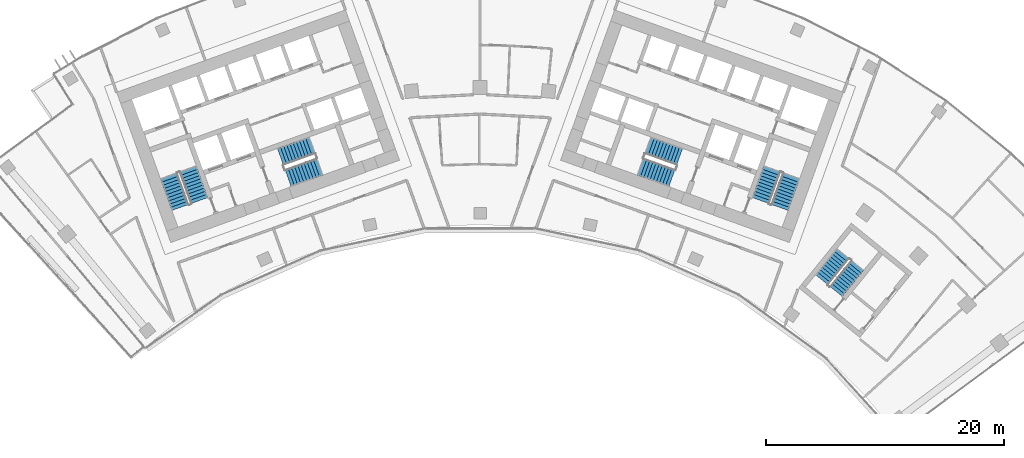
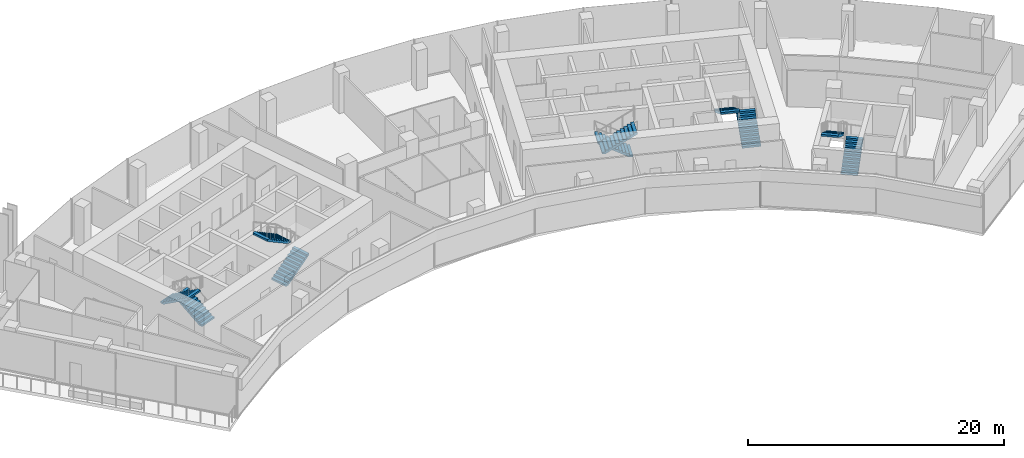
# One storey, part 16 of 18: 10 stair flights, 5 elements without a shape of their own.
"""IFC4 building model written with IfcOpenShell, lengths in metres."""

from ifc_helpers import new_model, si_unit, direction, frame, origin, place, context, subcontext, project, spatial, polyline, outline, extrude, material, type_object, element, aggregate, save


model = new_model("IFC4")

# Units and contexts
model_context = context("Model", 3, precision=1e-05, world=origin(), true_north=direction((0.0, 1.0)))
body_context = subcontext(model_context, "Body", "Model", "MODEL_VIEW")
ifc_project = project(units=[si_unit("LENGTHUNIT", "METRE"), si_unit("AREAUNIT", "SQUARE_METRE"), si_unit("VOLUMEUNIT", "CUBIC_METRE"), si_unit("PLANEANGLEUNIT", "RADIAN"), si_unit("MASSUNIT", "GRAM", prefix="KILO")], contexts=[model_context])

# Site, building, storey
site_placement = place(None, origin())
site = spatial("IfcSite", under=ifc_project, at=site_placement, CompositionType="ELEMENT")
building_placement = place(site_placement, origin())
building = spatial("IfcBuilding", under=site, at=building_placement, Name="Stone Belt Terrace Tower", CompositionType="ELEMENT")
storey_placement = place(building_placement, frame((0.0, 0.0, 239.0)))
storey = spatial("IfcBuildingStorey", under=building, at=storey_placement, Name="L58", CompositionType="ELEMENT", Elevation=239.0)

# Stair, stair flights
ifc_material = material(Name="Concrete B40", Category="concrete")
stair_type = type_object("IfcStairType", Name="Exit stair 1500", PredefinedType="HALF_TURN_STAIR", material=ifc_material)
stair_1_placement = place(storey_placement, origin())
stair_1 = element("IfcStair", 1, at=stair_1_placement, inside=storey, type_object=stair_type, Name="L58 Exit stair 1 core A", PredefinedType="HALF_TURN_STAIR")
stair_flight_type = type_object("IfcStairFlightType", Name="Stair flight 1500", PredefinedType="STRAIGHT", material=ifc_material)
stair_flight_1_placement = place(storey_placement, frame((-23.55322265625, 45.51318359375, 0.0), z_axis=(0.0, 0.0, 1.0), x_axis=(-0.338624396177, 0.940921632398, 0.0)))
stair_flight_1 = element("IfcStairFlight", 2, at=stair_flight_1_placement, type_object=stair_flight_type, Name="ST1A flight 1", NumberOfRisers=11, NumberOfTreads=10, PredefinedType="STRAIGHT", RiserHeight=0.172727273, TreadLength=0.28, context=body_context, shape_type="SweptSolid", body=[
    extrude(outline(polyline([(0.0, 0.0), (0.0, 0.172607421875), (0.280029296875, 0.172607421875), (0.280029296875, 0.345458984375), (0.56005859375, 0.345458984375), (0.56005859375, 0.51806640625), (0.840087890625, 0.51806640625), (0.840087890625, 0.69091796875), (1.1201171875, 0.69091796875), (1.1201171875, 0.863525390625), (1.39990234375, 0.863525390625), (1.39990234375, 1.036376953125), (1.679931640625, 1.036376953125), (1.679931640625, 1.208984375), (1.9599609375, 1.208984375), (1.9599609375, 1.3818359375), (2.239990234375, 1.3818359375), (2.239990234375, 1.554443359375), (2.52001953125, 1.554443359375), (2.52001953125, 1.727294921875), (2.800048828125, 1.727294921875), (2.800048828125, 1.89990234375), (2.800048828125, 1.551025390625), (0.285400390625, 0.0), (0.0, 0.0)])), frame((0.0, 0.75, 0.0), z_axis=(0.0, -1.0, 0.0), x_axis=(1.0, 0.0, 0.0)), (0.0, 0.0, 1.0), 1.5),
])
stair_flight_2_placement = place(storey_placement, frame((-26.10107421875, 47.572021484375, 1.89990234375), z_axis=(0.0, 0.0, 1.0), x_axis=(0.338624396177, -0.940921632398, 0.0)))
stair_flight_2 = element("IfcStairFlight", 3, at=stair_flight_2_placement, type_object=stair_flight_type, Name="ST1A flight 2", NumberOfRisers=11, NumberOfTreads=10, PredefinedType="STRAIGHT", RiserHeight=0.172727273, TreadLength=0.28, context=body_context, shape_type="SweptSolid", body=[
    extrude(outline(polyline([(0.0, 0.0), (0.0, 0.172607421875), (0.280029296875, 0.172607421875), (0.280029296875, 0.345458984375), (0.56005859375, 0.345458984375), (0.56005859375, 0.51806640625), (0.840087890625, 0.51806640625), (0.840087890625, 0.69091796875), (1.1201171875, 0.69091796875), (1.1201171875, 0.863525390625), (1.39990234375, 0.863525390625), (1.39990234375, 1.036376953125), (1.679931640625, 1.036376953125), (1.679931640625, 1.208984375), (1.9599609375, 1.208984375), (1.9599609375, 1.3818359375), (2.239990234375, 1.3818359375), (2.239990234375, 1.554443359375), (2.52001953125, 1.554443359375), (2.52001953125, 1.727294921875), (2.800048828125, 1.727294921875), (2.800048828125, 1.89990234375), (2.800048828125, 1.551025390625), (0.285400390625, 0.0), (0.0, 0.0)])), frame((0.0, 0.75, 0.0), z_axis=(0.0, -1.0, 0.0), x_axis=(1.0, 0.0, 0.0)), (0.0, 0.0, 1.0), 1.5),
])
aggregate(stair_1, [stair_flight_1, stair_flight_2])

stair_2_placement = place(storey_placement, origin())
stair_2 = element("IfcStair", 4, at=stair_2_placement, inside=storey, type_object=stair_type, Name="L58 Exit stair 2 core A", PredefinedType="HALF_TURN_STAIR")
stair_flight_3_placement = place(storey_placement, frame((-16.101318359375, 47.39794921875, 0.0), z_axis=(0.0, 0.0, 1.0), x_axis=(0.940921632398, 0.338624396177, 0.0)))
stair_flight_3 = element("IfcStairFlight", 5, at=stair_flight_3_placement, type_object=stair_flight_type, Name="ST2A flight 1", NumberOfRisers=11, NumberOfTreads=10, PredefinedType="STRAIGHT", RiserHeight=0.172727273, TreadLength=0.28, context=body_context, shape_type="SweptSolid", body=[
    extrude(outline(polyline([(0.0, 0.0), (0.0, 0.172607421875), (0.280029296875, 0.172607421875), (0.280029296875, 0.345458984375), (0.56005859375, 0.345458984375), (0.56005859375, 0.51806640625), (0.840087890625, 0.51806640625), (0.840087890625, 0.69091796875), (1.1201171875, 0.69091796875), (1.1201171875, 0.863525390625), (1.39990234375, 0.863525390625), (1.39990234375, 1.036376953125), (1.679931640625, 1.036376953125), (1.679931640625, 1.208984375), (1.9599609375, 1.208984375), (1.9599609375, 1.3818359375), (2.239990234375, 1.3818359375), (2.239990234375, 1.554443359375), (2.52001953125, 1.554443359375), (2.52001953125, 1.727294921875), (2.800048828125, 1.727294921875), (2.800048828125, 1.89990234375), (2.800048828125, 1.551025390625), (0.285400390625, 0.0), (0.0, 0.0)])), frame((0.0, 0.75, 0.0), z_axis=(0.0, -1.0, 0.0), x_axis=(1.0, 0.0, 0.0)), (0.0, 0.0, 1.0), 1.5),
])
stair_flight_4_placement = place(storey_placement, frame((-14.110107421875, 50.1337890625, 1.89990234375), z_axis=(0.0, 0.0, 1.0), x_axis=(-0.940921632398, -0.338624396177, 0.0)))
stair_flight_4 = element("IfcStairFlight", 6, at=stair_flight_4_placement, type_object=stair_flight_type, Name="ST2A flight 2", NumberOfRisers=11, NumberOfTreads=10, PredefinedType="STRAIGHT", RiserHeight=0.172727273, TreadLength=0.28, context=body_context, shape_type="SweptSolid", body=[
    extrude(outline(polyline([(0.0, 0.0), (0.0, 0.172607421875), (0.280029296875, 0.172607421875), (0.280029296875, 0.345458984375), (0.56005859375, 0.345458984375), (0.56005859375, 0.51806640625), (0.840087890625, 0.51806640625), (0.840087890625, 0.69091796875), (1.1201171875, 0.69091796875), (1.1201171875, 0.863525390625), (1.39990234375, 0.863525390625), (1.39990234375, 1.036376953125), (1.679931640625, 1.036376953125), (1.679931640625, 1.208984375), (1.9599609375, 1.208984375), (1.9599609375, 1.3818359375), (2.239990234375, 1.3818359375), (2.239990234375, 1.554443359375), (2.52001953125, 1.554443359375), (2.52001953125, 1.727294921875), (2.800048828125, 1.727294921875), (2.800048828125, 1.89990234375), (2.800048828125, 1.551025390625), (0.285400390625, 0.0), (0.0, 0.0)])), frame((0.0, 0.75, 0.0), z_axis=(0.0, -1.0, 0.0), x_axis=(1.0, 0.0, 0.0)), (0.0, 0.0, 1.0), 1.5),
])
aggregate(stair_2, [stair_flight_3, stair_flight_4])

stair_3_placement = place(storey_placement, origin())
stair_3 = element("IfcStair", 7, at=stair_3_placement, inside=storey, type_object=stair_type, Name="L58 Exit stair 1 core B", PredefinedType="HALF_TURN_STAIR")
stair_flight_5_placement = place(storey_placement, frame((25.15283203125, 44.9375, 0.0), z_axis=(0.0, 0.0, 1.0), x_axis=(0.338624396177, 0.940921632398, 0.0)))
stair_flight_5 = element("IfcStairFlight", 8, at=stair_flight_5_placement, type_object=stair_flight_type, Name="ST1B flight 1", NumberOfRisers=11, NumberOfTreads=10, PredefinedType="STRAIGHT", RiserHeight=0.172727273, TreadLength=0.28, context=body_context, shape_type="SweptSolid", body=[
    extrude(outline(polyline([(0.0, 0.0), (0.0, 0.172607421875), (0.280029296875, 0.172607421875), (0.280029296875, 0.345458984375), (0.56005859375, 0.345458984375), (0.56005859375, 0.51806640625), (0.840087890625, 0.51806640625), (0.840087890625, 0.69091796875), (1.1201171875, 0.69091796875), (1.1201171875, 0.863525390625), (1.39990234375, 0.863525390625), (1.39990234375, 1.036376953125), (1.679931640625, 1.036376953125), (1.679931640625, 1.208984375), (1.9599609375, 1.208984375), (1.9599609375, 1.3818359375), (2.239990234375, 1.3818359375), (2.239990234375, 1.554443359375), (2.52001953125, 1.554443359375), (2.52001953125, 1.727294921875), (2.800048828125, 1.727294921875), (2.800048828125, 1.89990234375), (2.800048828125, 1.551025390625), (0.285400390625, 0.0), (0.0, 0.0)])), frame((0.0, 0.75, 0.0), z_axis=(0.0, -1.0, 0.0), x_axis=(1.0, 0.0, 0.0)), (0.0, 0.0, 1.0), 1.5),
])
stair_flight_6_placement = place(storey_placement, frame((24.50146484375, 48.147705078125, 1.89990234375), z_axis=(0.0, 0.0, 1.0), x_axis=(-0.338624396177, -0.940921632398, 0.0)))
stair_flight_6 = element("IfcStairFlight", 9, at=stair_flight_6_placement, type_object=stair_flight_type, Name="ST1B flight 2", NumberOfRisers=11, NumberOfTreads=10, PredefinedType="STRAIGHT", RiserHeight=0.172727273, TreadLength=0.28, context=body_context, shape_type="SweptSolid", body=[
    extrude(outline(polyline([(0.0, 0.0), (0.0, 0.172607421875), (0.280029296875, 0.172607421875), (0.280029296875, 0.345458984375), (0.56005859375, 0.345458984375), (0.56005859375, 0.51806640625), (0.840087890625, 0.51806640625), (0.840087890625, 0.69091796875), (1.1201171875, 0.69091796875), (1.1201171875, 0.863525390625), (1.39990234375, 0.863525390625), (1.39990234375, 1.036376953125), (1.679931640625, 1.036376953125), (1.679931640625, 1.208984375), (1.9599609375, 1.208984375), (1.9599609375, 1.3818359375), (2.239990234375, 1.3818359375), (2.239990234375, 1.554443359375), (2.52001953125, 1.554443359375), (2.52001953125, 1.727294921875), (2.800048828125, 1.727294921875), (2.800048828125, 1.89990234375), (2.800048828125, 1.551025390625), (0.285400390625, 0.0), (0.0, 0.0)])), frame((0.0, 0.75, 0.0), z_axis=(0.0, -1.0, 0.0), x_axis=(1.0, 0.0, 0.0)), (0.0, 0.0, 1.0), 1.5),
])
aggregate(stair_3, [stair_flight_5, stair_flight_6])

stair_4_placement = place(storey_placement, origin())
stair_4 = element("IfcStair", 10, at=stair_4_placement, inside=storey, type_object=stair_type, Name="L58 Exit stair 2 core B", PredefinedType="HALF_TURN_STAIR")
stair_flight_7_placement = place(storey_placement, frame((16.74462890625, 49.185546875, 0.0), z_axis=(0.0, 0.0, 1.0), x_axis=(-0.940921632398, 0.338624396177, 0.0)))
stair_flight_7 = element("IfcStairFlight", 11, at=stair_flight_7_placement, type_object=stair_flight_type, Name="ST2B flight 1", NumberOfRisers=11, NumberOfTreads=10, PredefinedType="STRAIGHT", RiserHeight=0.172727273, TreadLength=0.28, context=body_context, shape_type="SweptSolid", body=[
    extrude(outline(polyline([(0.0, 0.0), (0.0, 0.172607421875), (0.280029296875, 0.172607421875), (0.280029296875, 0.345458984375), (0.56005859375, 0.345458984375), (0.56005859375, 0.51806640625), (0.840087890625, 0.51806640625), (0.840087890625, 0.69091796875), (1.1201171875, 0.69091796875), (1.1201171875, 0.863525390625), (1.39990234375, 0.863525390625), (1.39990234375, 1.036376953125), (1.679931640625, 1.036376953125), (1.679931640625, 1.208984375), (1.9599609375, 1.208984375), (1.9599609375, 1.3818359375), (2.239990234375, 1.3818359375), (2.239990234375, 1.554443359375), (2.52001953125, 1.554443359375), (2.52001953125, 1.727294921875), (2.800048828125, 1.727294921875), (2.800048828125, 1.89990234375), (2.800048828125, 1.551025390625), (0.285400390625, 0.0), (0.0, 0.0)])), frame((0.0, 0.75, 0.0), z_axis=(0.0, -1.0, 0.0), x_axis=(1.0, 0.0, 0.0)), (0.0, 0.0, 1.0), 1.5),
])
stair_flight_8_placement = place(storey_placement, frame((13.466796875, 48.345947265625, 1.89990234375), z_axis=(0.0, 0.0, 1.0), x_axis=(0.940921632398, -0.338624396177, 0.0)))
stair_flight_8 = element("IfcStairFlight", 12, at=stair_flight_8_placement, type_object=stair_flight_type, Name="ST2B flight 2", NumberOfRisers=11, NumberOfTreads=10, PredefinedType="STRAIGHT", RiserHeight=0.172727273, TreadLength=0.28, context=body_context, shape_type="SweptSolid", body=[
    extrude(outline(polyline([(0.0, 0.0), (0.0, 0.172607421875), (0.280029296875, 0.172607421875), (0.280029296875, 0.345458984375), (0.56005859375, 0.345458984375), (0.56005859375, 0.51806640625), (0.840087890625, 0.51806640625), (0.840087890625, 0.69091796875), (1.1201171875, 0.69091796875), (1.1201171875, 0.863525390625), (1.39990234375, 0.863525390625), (1.39990234375, 1.036376953125), (1.679931640625, 1.036376953125), (1.679931640625, 1.208984375), (1.9599609375, 1.208984375), (1.9599609375, 1.3818359375), (2.239990234375, 1.3818359375), (2.239990234375, 1.554443359375), (2.52001953125, 1.554443359375), (2.52001953125, 1.727294921875), (2.800048828125, 1.727294921875), (2.800048828125, 1.89990234375), (2.800048828125, 1.551025390625), (0.285400390625, 0.0), (0.0, 0.0)])), frame((0.0, 0.75, 0.0), z_axis=(0.0, -1.0, 0.0), x_axis=(1.0, 0.0, 0.0)), (0.0, 0.0, 1.0), 1.5),
])
aggregate(stair_4, [stair_flight_7, stair_flight_8])

stair_5_placement = place(storey_placement, origin())
stair_5 = element("IfcStair", 13, at=stair_5_placement, inside=storey, type_object=stair_type, Name="L58 Exit stair 3B", PredefinedType="HALF_TURN_STAIR")
stair_flight_9_placement = place(storey_placement, frame((29.88330078125, 37.887939453125, 0.0), z_axis=(0.0, 0.0, 1.0), x_axis=(0.630205749599, 0.776428176441, 0.0)))
stair_flight_9 = element("IfcStairFlight", 14, at=stair_flight_9_placement, type_object=stair_flight_type, Name="ST3B flight 1", NumberOfRisers=11, NumberOfTreads=10, PredefinedType="STRAIGHT", RiserHeight=0.172727273, TreadLength=0.28, context=body_context, shape_type="SweptSolid", body=[
    extrude(outline(polyline([(0.0, 0.0), (0.0, 0.172607421875), (0.280029296875, 0.172607421875), (0.280029296875, 0.345458984375), (0.56005859375, 0.345458984375), (0.56005859375, 0.51806640625), (0.840087890625, 0.51806640625), (0.840087890625, 0.69091796875), (1.1201171875, 0.69091796875), (1.1201171875, 0.863525390625), (1.39990234375, 0.863525390625), (1.39990234375, 1.036376953125), (1.679931640625, 1.036376953125), (1.679931640625, 1.208984375), (1.9599609375, 1.208984375), (1.9599609375, 1.3818359375), (2.239990234375, 1.3818359375), (2.239990234375, 1.554443359375), (2.52001953125, 1.554443359375), (2.52001953125, 1.727294921875), (2.800048828125, 1.727294921875), (2.800048828125, 1.89990234375), (2.800048828125, 1.551025390625), (0.285400390625, 0.0), (0.0, 0.0)])), frame((0.0, 0.675048828125, 0.0), z_axis=(0.0, -1.0, 0.0), x_axis=(1.0, 0.0, 0.0)), (0.0, 0.0, 1.0), 1.35009765625),
])
stair_flight_10_placement = place(storey_placement, frame((30.4443359375, 41.038818359375, 1.89990234375), z_axis=(0.0, 0.0, 1.0), x_axis=(-0.630205749599, -0.776428176441, 0.0)))
stair_flight_10 = element("IfcStairFlight", 15, at=stair_flight_10_placement, type_object=stair_flight_type, Name="ST3B flight 2", NumberOfRisers=11, NumberOfTreads=10, PredefinedType="STRAIGHT", RiserHeight=0.172727273, TreadLength=0.28, context=body_context, shape_type="SweptSolid", body=[
    extrude(outline(polyline([(0.0, 0.0), (0.0, 0.172607421875), (0.280029296875, 0.172607421875), (0.280029296875, 0.345458984375), (0.56005859375, 0.345458984375), (0.56005859375, 0.51806640625), (0.840087890625, 0.51806640625), (0.840087890625, 0.69091796875), (1.1201171875, 0.69091796875), (1.1201171875, 0.863525390625), (1.39990234375, 0.863525390625), (1.39990234375, 1.036376953125), (1.679931640625, 1.036376953125), (1.679931640625, 1.208984375), (1.9599609375, 1.208984375), (1.9599609375, 1.3818359375), (2.239990234375, 1.3818359375), (2.239990234375, 1.554443359375), (2.52001953125, 1.554443359375), (2.52001953125, 1.727294921875), (2.800048828125, 1.727294921875), (2.800048828125, 1.89990234375), (2.800048828125, 1.551025390625), (0.285400390625, 0.0), (0.0, 0.0)])), frame((0.0, 0.675048828125, 0.0), z_axis=(0.0, -1.0, 0.0), x_axis=(1.0, 0.0, 0.0)), (0.0, 0.0, 1.0), 1.35009765625),
])
aggregate(stair_5, [stair_flight_9, stair_flight_10])

save(model, "model.ifc")
